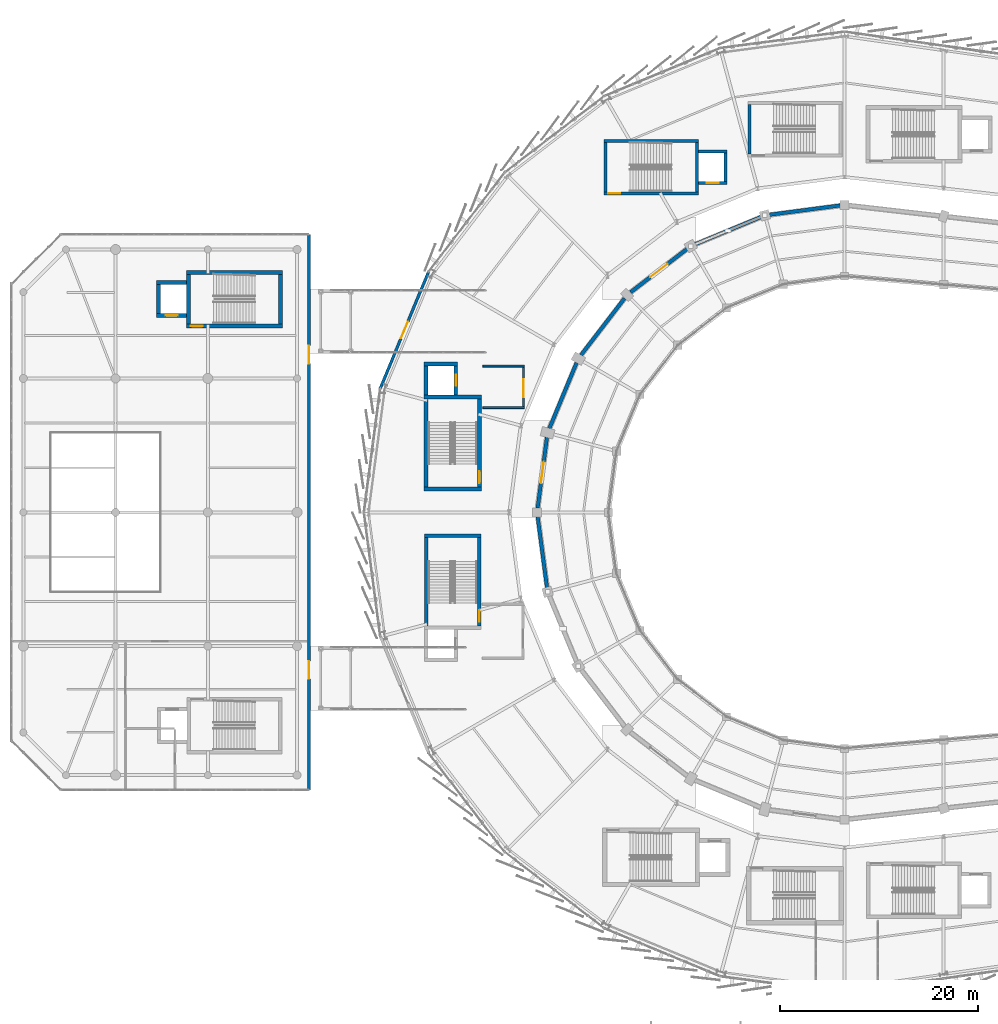
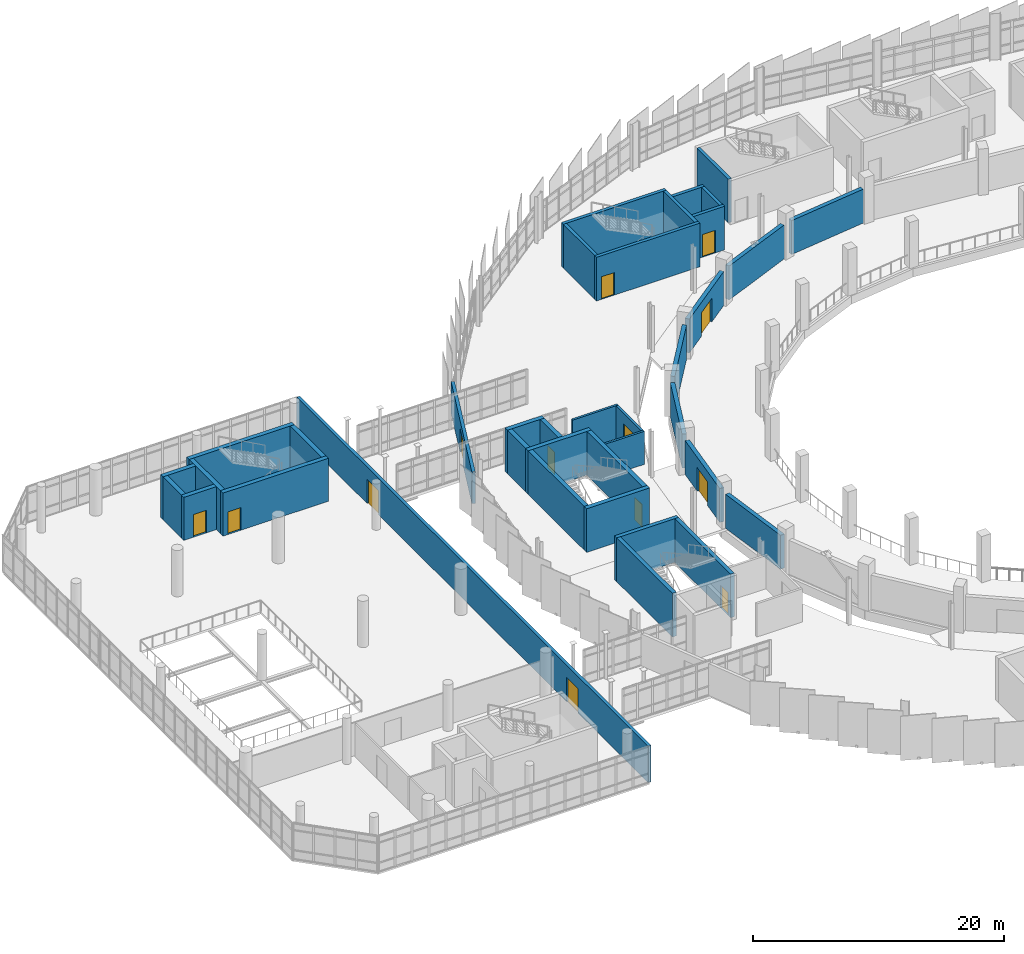
# One storey, part 105 of 125: 37 walls, 13 doors, 13 openings.
"""IFC4 building model written with IfcOpenShell, lengths in metres."""

from ifc_helpers import new_model, si_unit, direction, frame, frame_2d, origin, place, context, subcontext, project, spatial, rectangle, extrude, material, layer, layer_set, type_object, element, fill, save


model = new_model("IFC4")

# Units and contexts
model_context = context("Model", 3, precision=1e-05, world=origin(), true_north=direction((0.0, 1.0)))
body_context = subcontext(model_context, "Body", "Model", "MODEL_VIEW")
ifc_project = project(units=[si_unit("LENGTHUNIT", "METRE"), si_unit("AREAUNIT", "SQUARE_METRE"), si_unit("VOLUMEUNIT", "CUBIC_METRE"), si_unit("PLANEANGLEUNIT", "RADIAN"), si_unit("MASSUNIT", "GRAM", prefix="KILO")], contexts=[model_context])

# Site, building, storey
site_placement = place(None, origin())
site = spatial("IfcSite", under=ifc_project, at=site_placement, CompositionType="ELEMENT")
building_placement = place(site_placement, origin())
building = spatial("IfcBuilding", under=site, at=building_placement, Name="Sohan Crest Arena", CompositionType="ELEMENT")
storey_placement = place(building_placement, frame((0.0, 0.0, 9.0)))
storey = spatial("IfcBuildingStorey", under=building, at=storey_placement, Name="L02", CompositionType="ELEMENT", Elevation=9.0)

# Wall, opening, door
ifc_material_1 = material(Name="Clinker brick and ceramic mosaic envelope wall", Category="masonry")
ifc_layer_1 = layer(ifc_material_1, 0.280029296875, Name="Clinker brick and ceramic mosaic envelope wall")
ifc_layer_set_1 = layer_set([ifc_layer_1], Name="Clinker brick and ceramic mosaic envelope wall")
wall_type_1 = type_object("IfcWallType", Name="WAL-EW02", PredefinedType="SOLIDWALL", material=ifc_layer_set_1)
wall_1_placement = place(storey_placement, frame((56.041015625, 102.22509765625, 0.0), z_axis=(0.0, 0.0, 1.0), x_axis=(-0.382681957383, -0.923880143468, 0.0)))
wall_1 = element("IfcWall", 1, at=wall_1_placement, inside=storey, type_object=wall_type_1, Name="External wall EW-092", PredefinedType="SOLIDWALL", context=body_context, shape_type="SweptSolid", body=[
    extrude(rectangle(XDim=12.647705078125, YDim=0.280029296875, at=frame_2d((6.32373046875, 0.0))), origin(), (0.0, 0.0, 1.0), 3.10009765625),
])
opening_1_placement = place(wall_1_placement, frame((5.424072265625, 0.0, 0.0)))
opening_1 = element("IfcOpeningElement", 2, at=opening_1_placement, cuts=wall_1, Name="Opening BD-L02-05", PredefinedType="OPENING", context=body_context, shape_type="SweptSolid", body=[
    extrude(rectangle(XDim=1.800048828125, YDim=2.35009765625, at=frame_2d((0.89990234375, 1.175048828125))), frame((0.0, 0.14990234375, 0.0), z_axis=(0.0, -1.0, 0.0), x_axis=(1.0, 0.0, 0.0)), (0.0, 0.0, 1.0), 0.300048828125),
])
ifc_material_2 = material(Name="Glazed aluminium terrace access door", Category="aluminium")
door_type_1 = type_object("IfcDoorType", Name="DR-ED01", OperationType="DOUBLE_DOOR_SINGLE_SWING", PredefinedType="DOOR", material=ifc_material_2)
door_1_placement = place(opening_1_placement, frame((1.800048828125, 0.0, 0.0), z_axis=(0.0, 0.0, 1.0), x_axis=(-1.0, 0.0, 0.0)))
door_1 = element("IfcDoor", 3, at=door_1_placement, inside=storey, type_object=door_type_1, Name="Covered bridge passage door BD-L02-05", OperationType="DOUBLE_DOOR_SINGLE_SWING", OverallHeight=2.35009765625, OverallWidth=1.800048828125, PredefinedType="DOOR", context=body_context, shape_type="SweptSolid", body=[
    extrude(rectangle(XDim=1.800048828125, YDim=2.35009765625, at=frame_2d((0.89990234375, 1.175048828125))), frame((0.0, 0.02490234375, 0.0), z_axis=(0.0, -1.0, 0.0), x_axis=(1.0, 0.0, 0.0)), (0.0, 0.0, 1.0), 0.050048828125),
])
fill(opening_1, door_1)

# Wall, openings, doors
wall_2_placement = place(storey_placement, frame((44.0, 50.0, 0.0), z_axis=(0.0, 0.0, 1.0), x_axis=(0.0, 1.0, 0.0)))
wall_2 = element("IfcWall", 4, at=wall_2_placement, inside=storey, type_object=wall_type_1, Name="External wall EW-101", PredefinedType="SOLIDWALL", context=body_context, shape_type="SweptSolid", body=[
    extrude(rectangle(XDim=56.0, YDim=0.280029296875, at=frame_2d((28.0, 0.0))), origin(), (0.0, 0.0, 1.0), 3.550048828125),
])
opening_2_placement = place(wall_2_placement, frame((11.199951171875, 0.0, 0.0)))
opening_2 = element("IfcOpeningElement", 5, at=opening_2_placement, cuts=wall_2, Name="Opening V3B-L02-62", PredefinedType="OPENING", context=body_context, shape_type="SweptSolid", body=[
    extrude(rectangle(XDim=1.800048828125, YDim=2.35009765625, at=frame_2d((0.89990234375, 1.175048828125))), frame((0.0, 0.14990234375, 0.0), z_axis=(0.0, -1.0, 0.0), x_axis=(1.0, 0.0, 0.0)), (0.0, 0.0, 1.0), 0.300048828125),
])
opening_3_placement = place(wall_2_placement, frame((43.0, 0.0, 0.0)))
opening_3 = element("IfcOpeningElement", 6, at=opening_3_placement, cuts=wall_2, Name="Opening V3B-L02-93", PredefinedType="OPENING", context=body_context, shape_type="SweptSolid", body=[
    extrude(rectangle(XDim=1.800048828125, YDim=2.35009765625, at=frame_2d((0.89990234375, 1.175048828125))), frame((0.0, 0.14990234375, 0.0), z_axis=(0.0, -1.0, 0.0), x_axis=(1.0, 0.0, 0.0)), (0.0, 0.0, 1.0), 0.300048828125),
])
door_2_placement = place(opening_2_placement, frame((1.800048828125, 0.0, 0.0), z_axis=(0.0, 0.0, 1.0), x_axis=(-1.0, 0.0, 0.0)))
door_2 = element("IfcDoor", 7, at=door_2_placement, inside=storey, type_object=door_type_1, Name="Foyer bridge door V3B-L02-62", OperationType="DOUBLE_DOOR_SINGLE_SWING", OverallHeight=2.35009765625, OverallWidth=1.800048828125, PredefinedType="DOOR", context=body_context, shape_type="SweptSolid", body=[
    extrude(rectangle(XDim=1.800048828125, YDim=2.35009765625, at=frame_2d((0.89990234375, 1.175048828125))), frame((0.0, 0.02490234375, 0.0), z_axis=(0.0, -1.0, 0.0), x_axis=(1.0, 0.0, 0.0)), (0.0, 0.0, 1.0), 0.050048828125),
])
fill(opening_2, door_2)
door_3_placement = place(opening_3_placement, frame((1.800048828125, 0.0, 0.0), z_axis=(0.0, 0.0, 1.0), x_axis=(-1.0, 0.0, 0.0)))
door_3 = element("IfcDoor", 8, at=door_3_placement, inside=storey, type_object=door_type_1, Name="Foyer bridge door V3B-L02-93", OperationType="DOUBLE_DOOR_SINGLE_SWING", OverallHeight=2.35009765625, OverallWidth=1.800048828125, PredefinedType="DOOR", context=body_context, shape_type="SweptSolid", body=[
    extrude(rectangle(XDim=1.800048828125, YDim=2.35009765625, at=frame_2d((0.89990234375, 1.175048828125))), frame((0.0, 0.02490234375, 0.0), z_axis=(0.0, -1.0, 0.0), x_axis=(1.0, 0.0, 0.0)), (0.0, 0.0, 1.0), 0.050048828125),
])
fill(opening_3, door_3)

# Walls
ifc_material_3 = material(Name="Acoustic insulated bowl drum enclosure wall", Category="masonry")
ifc_layer_2 = layer(ifc_material_3, 0.3701171875, Name="Acoustic insulated bowl drum enclosure wall")
ifc_layer_set_2 = layer_set([ifc_layer_2], Name="Acoustic insulated bowl drum enclosure wall")
wall_type_2 = type_object("IfcWallType", Name="WAL-EW05", PredefinedType="SOLIDWALL", material=ifc_layer_set_2)
wall_3_placement = place(storey_placement, frame((97.56396484375, 108.943115234375, 0.0), z_axis=(0.0, 0.0, 1.0), x_axis=(-0.991432160885, -0.130622625772, 0.0)))
element("IfcWall", 9, at=wall_3_placement, inside=storey, type_object=wall_type_2, Name="Acoustic bowl drum wall BW-L02-01", PredefinedType="SOLIDWALL", context=body_context, shape_type="SweptSolid", body=[
    extrude(rectangle(XDim=7.212646484375, YDim=0.3701171875, at=frame_2d((3.6064453125, 0.0))), origin(), (0.0, 0.0, 1.0), 3.300048828125),
])
wall_4_placement = place(storey_placement, frame((89.570068359375, 107.77587890625, 0.0), z_axis=(0.0, 0.0, 1.0), x_axis=(-0.923828261086, -0.382807189089, 0.0)))
element("IfcWall", 10, at=wall_4_placement, inside=storey, type_object=wall_type_2, Name="Acoustic bowl drum wall BW-L02-02", PredefinedType="SOLIDWALL", context=body_context, shape_type="SweptSolid", body=[
    extrude(rectangle(XDim=7.21240234375, YDim=0.3701171875, at=frame_2d((3.606201171875, 0.0))), origin(), (0.0, 0.0, 1.0), 3.300048828125),
])

# Wall, opening, door
wall_5_placement = place(storey_placement, frame((82.15087890625, 104.5791015625, 0.0), z_axis=(0.0, 0.0, 1.0), x_axis=(-0.793318070515, -0.608807390719, 0.0)))
wall_5 = element("IfcWall", 11, at=wall_5_placement, inside=storey, type_object=wall_type_2, Name="Acoustic bowl drum wall BW-L02-03", PredefinedType="SOLIDWALL", context=body_context, shape_type="SweptSolid", body=[
    extrude(rectangle(XDim=7.212646484375, YDim=0.3701171875, at=frame_2d((3.6064453125, 0.0))), origin(), (0.0, 0.0, 1.0), 3.300048828125),
])
opening_4_placement = place(wall_5_placement, frame((2.506103515625, 0.0, 0.0)))
opening_4 = element("IfcOpeningElement", 12, at=opening_4_placement, cuts=wall_5, Name="Opening VD-L02-03", PredefinedType="OPENING", context=body_context, shape_type="SweptSolid", body=[
    extrude(rectangle(XDim=2.199951171875, YDim=2.300048828125, at=frame_2d((1.10009765625, 1.14990234375))), frame((0.0, 0.195068359375, 0.0), z_axis=(0.0, -1.0, 0.0), x_axis=(1.0, 0.0, 0.0)), (0.0, 0.0, 1.0), 0.39013671875),
])
ifc_material_4 = material(Name="Fire-rated steel double escape door", Category="steel")
door_type_2 = type_object("IfcDoorType", Name="DR-FD01", OperationType="DOUBLE_DOOR_SINGLE_SWING", PredefinedType="DOOR", material=ifc_material_4)
door_4_placement = place(opening_4_placement, origin())
door_4 = element("IfcDoor", 13, at=door_4_placement, inside=storey, type_object=door_type_2, Name="Bowl vomitory portal fire door VD-L02-03", OperationType="DOUBLE_DOOR_SINGLE_SWING", OverallHeight=2.300048828125, OverallWidth=2.199951171875, PredefinedType="DOOR", context=body_context, shape_type="SweptSolid", body=[
    extrude(rectangle(XDim=2.199951171875, YDim=2.300048828125, at=frame_2d((1.10009765625, 1.14990234375))), frame((0.0, 0.02490234375, 0.0), z_axis=(0.0, -1.0, 0.0), x_axis=(1.0, 0.0, 0.0)), (0.0, 0.0, 1.0), 0.050048828125),
])
fill(opening_4, door_4)

# Walls
wall_6_placement = place(storey_placement, frame((75.81201171875, 99.571044921875, 0.0), z_axis=(0.0, 0.0, 1.0), x_axis=(-0.608807390719, -0.793318070515, 0.0)))
element("IfcWall", 14, at=wall_6_placement, inside=storey, type_object=wall_type_2, Name="Acoustic bowl drum wall BW-L02-04", PredefinedType="SOLIDWALL", context=body_context, shape_type="SweptSolid", body=[
    extrude(rectangle(XDim=7.212646484375, YDim=0.3701171875, at=frame_2d((3.6064453125, 0.0))), origin(), (0.0, 0.0, 1.0), 3.300048828125),
])
wall_7_placement = place(storey_placement, frame((70.985107421875, 93.093017578125, 0.0), z_axis=(0.0, 0.0, 1.0), x_axis=(-0.382807189089, -0.923828261086, 0.0)))
element("IfcWall", 15, at=wall_7_placement, inside=storey, type_object=wall_type_2, Name="Acoustic bowl drum wall BW-L02-05", PredefinedType="SOLIDWALL", context=body_context, shape_type="SweptSolid", body=[
    extrude(rectangle(XDim=7.21240234375, YDim=0.3701171875, at=frame_2d((3.606201171875, 0.0))), origin(), (0.0, 0.0, 1.0), 3.300048828125),
])

# Wall, opening, door
wall_8_placement = place(storey_placement, frame((67.9990234375, 85.5869140625, 0.0), z_axis=(0.0, 0.0, 1.0), x_axis=(-0.130622625772, -0.991432160885, 0.0)))
wall_8 = element("IfcWall", 16, at=wall_8_placement, inside=storey, type_object=wall_type_2, Name="Acoustic bowl drum wall BW-L02-06", PredefinedType="SOLIDWALL", context=body_context, shape_type="SweptSolid", body=[
    extrude(rectangle(XDim=7.212646484375, YDim=0.3701171875, at=frame_2d((3.6064453125, 0.0))), origin(), (0.0, 0.0, 1.0), 3.300048828125),
])
opening_5_placement = place(wall_8_placement, frame((2.506103515625, 0.0, 0.0)))
opening_5 = element("IfcOpeningElement", 17, at=opening_5_placement, cuts=wall_8, Name="Opening VD-L02-06", PredefinedType="OPENING", context=body_context, shape_type="SweptSolid", body=[
    extrude(rectangle(XDim=2.199951171875, YDim=2.300048828125, at=frame_2d((1.10009765625, 1.14990234375))), frame((0.0, 0.195068359375, 0.0), z_axis=(0.0, -1.0, 0.0), x_axis=(1.0, 0.0, 0.0)), (0.0, 0.0, 1.0), 0.39013671875),
])
door_5_placement = place(opening_5_placement, origin())
door_5 = element("IfcDoor", 18, at=door_5_placement, inside=storey, type_object=door_type_2, Name="Bowl vomitory portal fire door VD-L02-06", OperationType="DOUBLE_DOOR_SINGLE_SWING", OverallHeight=2.300048828125, OverallWidth=2.199951171875, PredefinedType="DOOR", context=body_context, shape_type="SweptSolid", body=[
    extrude(rectangle(XDim=2.199951171875, YDim=2.300048828125, at=frame_2d((1.10009765625, 1.14990234375))), frame((0.0, 0.02490234375, 0.0), z_axis=(0.0, -1.0, 0.0), x_axis=(1.0, 0.0, 0.0)), (0.0, 0.0, 1.0), 0.050048828125),
])
fill(opening_5, door_5)

# Walls
wall_9_placement = place(storey_placement, frame((67.056884765625, 77.56396484375, 0.0), z_axis=(0.0, 0.0, 1.0), x_axis=(0.130622625772, -0.991432160885, 0.0)))
element("IfcWall", 19, at=wall_9_placement, inside=storey, type_object=wall_type_2, Name="Acoustic bowl drum wall BW-L02-07", PredefinedType="SOLIDWALL", context=body_context, shape_type="SweptSolid", body=[
    extrude(rectangle(XDim=7.212646484375, YDim=0.3701171875, at=frame_2d((3.6064453125, 0.0))), origin(), (0.0, 0.0, 1.0), 3.300048828125),
])
ifc_material_5 = material(Name="Fire-rated masonry blockwork compartment wall", Category="masonry")
ifc_layer_3 = layer(ifc_material_5, 0.199951171875, Name="Fire-rated masonry blockwork compartment wall")
ifc_layer_set_3 = layer_set([ifc_layer_3], Name="Fire-rated masonry blockwork compartment wall")
wall_type_3 = type_object("IfcWallType", Name="WAL-FW01", PredefinedType="PARTITIONING", material=ifc_layer_set_3)
for number, where, z_axis, x_axis, name in (
    (20, (61.5400390625, 88.550048828125, 0.0), (0.0, 0.0, 1.0), (1.0, 0.0, 0.0), "Interior partition wall PW-0108"),
    (21, (61.5400390625, 92.75, 0.0), (0.0, 0.0, 1.0), (1.0, 0.0, 0.0), "Interior partition wall PW-0109"),
):
    element("IfcWall", number, at=place(storey_placement, frame(where, z_axis=z_axis, x_axis=x_axis)), inside=storey, type_object=wall_type_3, Name=name, PredefinedType="PARTITIONING", context=body_context, shape_type="SweptSolid", body=[
        extrude(rectangle(XDim=4.179931640625, YDim=0.199951171875, at=frame_2d((2.08984375, 0.0))), origin(), (0.0, 0.0, 1.0), 3.219970703125),
    ])

# Wall, opening, door
wall_10_placement = place(storey_placement, frame((65.6201171875, 88.669921875, 0.0), z_axis=(0.0, 0.0, 1.0), x_axis=(0.0, 1.0, 0.0)))
wall_10 = element("IfcWall", 22, at=wall_10_placement, inside=storey, type_object=wall_type_3, Name="Interior partition wall PW-0110", PredefinedType="PARTITIONING", context=body_context, shape_type="SweptSolid", body=[
    extrude(rectangle(XDim=3.9599609375, YDim=0.199951171875, at=frame_2d((1.97998046875, 0.0))), origin(), (0.0, 0.0, 1.0), 3.219970703125),
])
opening_6_placement = place(wall_10_placement, frame((0.949951171875, 0.0, 0.0)))
opening_6 = element("IfcOpeningElement", 23, at=opening_6_placement, cuts=wall_10, Name="Opening FFL-0033", PredefinedType="OPENING", context=body_context, shape_type="SweptSolid", body=[
    extrude(rectangle(XDim=1.800048828125, YDim=2.199951171875, at=frame_2d((0.89990234375, 1.10009765625))), frame((0.0, 0.10986328125, 0.0), z_axis=(0.0, -1.0, 0.0), x_axis=(1.0, 0.0, 0.0)), (0.0, 0.0, 1.0), 0.219970703125),
])
ifc_material_6 = material(Name="Fire-rated timber-faced lobby double door", Category="wood")
door_type_3 = type_object("IfcDoorType", Name="DR-FD03", OperationType="DOUBLE_DOOR_SINGLE_SWING", PredefinedType="DOOR", material=ifc_material_6)
door_6_placement = place(opening_6_placement, origin())
door_6 = element("IfcDoor", 24, at=door_6_placement, inside=storey, type_object=door_type_3, Name="Firefighting lift lobby door FL02 FFL-0033", OperationType="DOUBLE_DOOR_SINGLE_SWING", OverallHeight=2.199951171875, OverallWidth=1.800048828125, PredefinedType="DOOR", context=body_context, shape_type="SweptSolid", body=[
    extrude(rectangle(XDim=1.800048828125, YDim=2.199951171875, at=frame_2d((0.89990234375, 1.10009765625))), frame((0.0, 0.02490234375, 0.0), z_axis=(0.0, -1.0, 0.0), x_axis=(1.0, 0.0, 0.0)), (0.0, 0.0, 1.0), 0.050048828125),
])
fill(opening_6, door_6)

# Walls
ifc_material_7 = material(Name="Concrete C40/50", Category="concrete")
ifc_layer_4 = layer(ifc_material_7, 0.300048828125, Name="Concrete C40/50")
ifc_layer_set_4 = layer_set([ifc_layer_4], Name="Concrete C40/50")
wall_type_4 = type_object("IfcWallType", Name="WAL-SW01", PredefinedType="SHEAR", material=ifc_layer_set_4)
for number, where, z_axis, x_axis, name in (
    (25, (73.89990234375, 110.300048828125, 0.0), (0.0, 0.0, 1.0), (0.0, 1.0, 0.0), "Core shear wall SW-0211"),
    (26, (83.10009765625, 110.300048828125, 0.0), (0.0, 0.0, 1.0), (0.0, 1.0, 0.0), "Core shear wall SW-0212"),
):
    element("IfcWall", number, at=place(storey_placement, frame(where, z_axis=z_axis, x_axis=x_axis)), inside=storey, type_object=wall_type_4, Name=name, PredefinedType="SHEAR", context=body_context, shape_type="SweptSolid", body=[
        extrude(rectangle(XDim=5.0, YDim=0.300048828125, at=frame_2d((2.5, 0.0))), origin(), (0.0, 0.0, 1.0), 4.25),
    ])

# Wall, opening, door
wall_11_placement = place(storey_placement, frame((73.75, 110.14990234375, 0.0), z_axis=(0.0, 0.0, 1.0), x_axis=(1.0, 0.0, 0.0)))
wall_11 = element("IfcWall", 27, at=wall_11_placement, inside=storey, type_object=wall_type_4, Name="Core shear wall SW-0213", PredefinedType="SHEAR", context=body_context, shape_type="SweptSolid", body=[
    extrude(rectangle(XDim=9.5, YDim=0.300048828125, at=frame_2d((4.75, 0.0))), origin(), (0.0, 0.0, 1.0), 4.25),
])
opening_7_placement = place(wall_11_placement, frame((0.449951171875, 0.0, 0.0)))
opening_7 = element("IfcOpeningElement", 28, at=opening_7_placement, cuts=wall_11, Name="Opening SD-0063", PredefinedType="OPENING", context=body_context, shape_type="SweptSolid", body=[
    extrude(rectangle(XDim=1.199951171875, YDim=2.199951171875, at=frame_2d((0.60009765625, 1.10009765625))), frame((0.0, 0.159912109375, 0.0), z_axis=(0.0, -1.0, 0.0), x_axis=(1.0, 0.0, 0.0)), (0.0, 0.0, 1.0), 0.320068359375),
])
ifc_material_8 = material(Name="Fire-rated steel stair and lobby door", Category="steel")
door_type_4 = type_object("IfcDoorType", Name="DR-FD04", OperationType="NOTDEFINED", PredefinedType="DOOR", material=ifc_material_8)
door_7_placement = place(opening_7_placement, frame((1.199951171875, 0.0, 0.0), z_axis=(0.0, 0.0, 1.0), x_axis=(-1.0, 0.0, 0.0)))
door_7 = element("IfcDoor", 29, at=door_7_placement, inside=storey, type_object=door_type_4, Name="Protected stair door SD-0063", OperationType="SINGLE_SWING_LEFT", OverallHeight=2.199951171875, OverallWidth=1.199951171875, PredefinedType="DOOR", context=body_context, shape_type="SweptSolid", body=[
    extrude(rectangle(XDim=1.199951171875, YDim=2.199951171875, at=frame_2d((0.60009765625, 1.10009765625))), frame((0.0, 0.02490234375, 0.0), z_axis=(0.0, -1.0, 0.0), x_axis=(1.0, 0.0, 0.0)), (0.0, 0.0, 1.0), 0.050048828125),
])
fill(opening_7, door_7)

# Walls
wall_12_placement = place(storey_placement, frame((73.75, 115.449951171875, 0.0), z_axis=(0.0, 0.0, 1.0), x_axis=(1.0, 0.0, 0.0)))
element("IfcWall", 30, at=wall_12_placement, inside=storey, type_object=wall_type_4, Name="Core shear wall SW-0214", PredefinedType="SHEAR", context=body_context, shape_type="SweptSolid", body=[
    extrude(rectangle(XDim=9.5, YDim=0.300048828125, at=frame_2d((4.75, 0.0))), origin(), (0.0, 0.0, 1.0), 4.25),
])
wall_13_placement = place(storey_placement, frame((86.0, 111.35009765625, 0.0), z_axis=(0.0, 0.0, 1.0), x_axis=(0.0, 1.0, 0.0)))
element("IfcWall", 31, at=wall_13_placement, inside=storey, type_object=wall_type_4, Name="Core shear wall SW-0215", PredefinedType="SHEAR", context=body_context, shape_type="SweptSolid", body=[
    extrude(rectangle(XDim=2.89990234375, YDim=0.300048828125, at=frame_2d((1.449951171875, 0.0))), origin(), (0.0, 0.0, 1.0), 4.25),
])

# Wall, opening, door
wall_14_placement = place(storey_placement, frame((83.25, 111.199951171875, 0.0), z_axis=(0.0, 0.0, 1.0), x_axis=(1.0, 0.0, 0.0)))
wall_14 = element("IfcWall", 32, at=wall_14_placement, inside=storey, type_object=wall_type_4, Name="Core shear wall SW-0216", PredefinedType="SHEAR", context=body_context, shape_type="SweptSolid", body=[
    extrude(rectangle(XDim=2.89990234375, YDim=0.300048828125, at=frame_2d((1.449951171875, 0.0))), origin(), (0.0, 0.0, 1.0), 4.25),
])
opening_8_placement = place(wall_14_placement, frame((0.85009765625, 0.0, 0.0)))
opening_8 = element("IfcOpeningElement", 33, at=opening_8_placement, cuts=wall_14, Name="Opening LD-LP02-L02", PredefinedType="OPENING", context=body_context, shape_type="SweptSolid", body=[
    extrude(rectangle(XDim=1.199951171875, YDim=2.199951171875, at=frame_2d((0.60009765625, 1.10009765625))), frame((0.0, 0.159912109375, 0.0), z_axis=(0.0, -1.0, 0.0), x_axis=(1.0, 0.0, 0.0)), (0.0, 0.0, 1.0), 0.320068359375),
])
ifc_material_9 = material(Name="Stainless steel passenger lift landing door", Category="steel")
door_type_5 = type_object("IfcDoorType", Name="DR-LD02", OperationType="SLIDING_TO_LEFT", PredefinedType="DOOR", material=ifc_material_9)
door_8_placement = place(opening_8_placement, origin())
door_8 = element("IfcDoor", 34, at=door_8_placement, inside=storey, type_object=door_type_5, Name="Sliding lift landing door LD-LP02-L02", OperationType="SLIDING_TO_LEFT", OverallHeight=2.199951171875, OverallWidth=1.199951171875, PredefinedType="DOOR", context=body_context, shape_type="SweptSolid", body=[
    extrude(rectangle(XDim=1.199951171875, YDim=2.199951171875, at=frame_2d((0.60009765625, 1.10009765625))), frame((0.0, 0.02490234375, 0.0), z_axis=(0.0, -1.0, 0.0), x_axis=(1.0, 0.0, 0.0)), (0.0, 0.0, 1.0), 0.050048828125),
])
fill(opening_8, door_8)

# Walls
wall_15_placement = place(storey_placement, frame((83.25, 114.39990234375, 0.0), z_axis=(0.0, 0.0, 1.0), x_axis=(1.0, 0.0, 0.0)))
element("IfcWall", 35, at=wall_15_placement, inside=storey, type_object=wall_type_4, Name="Core shear wall SW-0217", PredefinedType="SHEAR", context=body_context, shape_type="SweptSolid", body=[
    extrude(rectangle(XDim=2.89990234375, YDim=0.300048828125, at=frame_2d((1.449951171875, 0.0))), origin(), (0.0, 0.0, 1.0), 4.25),
])
wall_16_placement = place(storey_placement, frame((88.39990234375, 114.139892578125, 0.0), z_axis=(0.0, 0.0, 1.0), x_axis=(0.0, 1.0, 0.0)))
element("IfcWall", 36, at=wall_16_placement, inside=storey, type_object=wall_type_4, Name="Core shear wall SW-0769", PredefinedType="SHEAR", context=body_context, shape_type="SweptSolid", body=[
    extrude(rectangle(XDim=5.0, YDim=0.300048828125, at=frame_2d((2.5, 0.0))), origin(), (0.0, 0.0, 1.0), 4.25),
])
ifc_layer_5 = layer(ifc_material_7, 0.35009765625, Name="Concrete C40/50")
ifc_layer_set_5 = layer_set([ifc_layer_5], Name="Concrete C40/50")
wall_type_5 = type_object("IfcWallType", Name="WAL-SW02", PredefinedType="SHEAR", material=ifc_layer_set_5)
wall_17_placement = place(storey_placement, frame((55.64990234375, 75.625, 0.0), z_axis=(0.0, 0.0, 1.0), x_axis=(1.0, 0.0, 0.0)))
element("IfcWall", 37, at=wall_17_placement, inside=storey, type_object=wall_type_5, Name="Core shear wall SW-0032", PredefinedType="SHEAR", context=body_context, shape_type="SweptSolid", body=[
    extrude(rectangle(XDim=5.7001953125, YDim=0.35009765625, at=frame_2d((2.85009765625, 0.0))), origin(), (0.0, 0.0, 1.0), 4.25),
])
wall_18_placement = place(storey_placement, frame((55.824951171875, 66.550048828125, 0.0), z_axis=(0.0, 0.0, 1.0), x_axis=(0.0, 1.0, 0.0)))
element("IfcWall", 38, at=wall_18_placement, inside=storey, type_object=wall_type_5, Name="Core shear wall SW-0033", PredefinedType="SHEAR", context=body_context, shape_type="SweptSolid", body=[
    extrude(rectangle(XDim=8.89990234375, YDim=0.35009765625, at=frame_2d((4.449951171875, 0.0))), origin(), (0.0, 0.0, 1.0), 4.25),
])

# Wall, opening, door
wall_19_placement = place(storey_placement, frame((61.175048828125, 66.550048828125, 0.0), z_axis=(0.0, 0.0, 1.0), x_axis=(0.0, 1.0, 0.0)))
wall_19 = element("IfcWall", 39, at=wall_19_placement, inside=storey, type_object=wall_type_5, Name="Core shear wall SW-0034", PredefinedType="SHEAR", context=body_context, shape_type="SweptSolid", body=[
    extrude(rectangle(XDim=8.89990234375, YDim=0.35009765625, at=frame_2d((4.449951171875, 0.0))), origin(), (0.0, 0.0, 1.0), 4.25),
])
opening_9_placement = place(wall_19_placement, frame((0.39990234375, 0.0, 0.0)))
opening_9 = element("IfcOpeningElement", 40, at=opening_9_placement, cuts=wall_19, Name="Opening SD-0010", PredefinedType="OPENING", context=body_context, shape_type="SweptSolid", body=[
    extrude(rectangle(XDim=1.199951171875, YDim=2.199951171875, at=frame_2d((0.60009765625, 1.10009765625))), frame((0.0, 0.18505859375, 0.0), z_axis=(0.0, -1.0, 0.0), x_axis=(1.0, 0.0, 0.0)), (0.0, 0.0, 1.0), 0.3701171875),
])
door_9_placement = place(opening_9_placement, origin())
door_9 = element("IfcDoor", 41, at=door_9_placement, inside=storey, type_object=door_type_4, Name="Protected stair door SD-0010", OperationType="SINGLE_SWING_LEFT", OverallHeight=2.199951171875, OverallWidth=1.199951171875, PredefinedType="DOOR", context=body_context, shape_type="SweptSolid", body=[
    extrude(rectangle(XDim=1.199951171875, YDim=2.199951171875, at=frame_2d((0.60009765625, 1.10009765625))), frame((0.0, 0.02490234375, 0.0), z_axis=(0.0, -1.0, 0.0), x_axis=(1.0, 0.0, 0.0)), (0.0, 0.0, 1.0), 0.050048828125),
])
fill(opening_9, door_9)

# Walls
ifc_layer_6 = layer(ifc_material_7, 0.39990234375, Name="Concrete C40/50")
ifc_layer_set_6 = layer_set([ifc_layer_6], Name="Concrete C40/50")
wall_type_6 = type_object("IfcWallType", Name="WAL-SW03", PredefinedType="SHEAR", material=ifc_layer_set_6)
for number, where, z_axis, x_axis, name in (
    (42, (55.60009765625, 80.35009765625, 0.0), (0.0, 0.0, 1.0), (1.0, 0.0, 0.0), "Core shear wall SW-0101"),
    (43, (55.60009765625, 89.64990234375, 0.0), (0.0, 0.0, 1.0), (1.0, 0.0, 0.0), "Core shear wall SW-0102"),
):
    element("IfcWall", number, at=place(storey_placement, frame(where, z_axis=z_axis, x_axis=x_axis)), inside=storey, type_object=wall_type_6, Name=name, PredefinedType="SHEAR", context=body_context, shape_type="SweptSolid", body=[
        extrude(rectangle(XDim=5.7998046875, YDim=0.39990234375, at=frame_2d((2.89990234375, 0.0))), origin(), (0.0, 0.0, 1.0), 4.25),
    ])
wall_20_placement = place(storey_placement, frame((55.800048828125, 80.550048828125, 0.0), z_axis=(0.0, 0.0, 1.0), x_axis=(0.0, 1.0, 0.0)))
element("IfcWall", 44, at=wall_20_placement, inside=storey, type_object=wall_type_6, Name="Core shear wall SW-0103", PredefinedType="SHEAR", context=body_context, shape_type="SweptSolid", body=[
    extrude(rectangle(XDim=8.89990234375, YDim=0.39990234375, at=frame_2d((4.449951171875, 0.0))), origin(), (0.0, 0.0, 1.0), 4.25),
])

# Wall, opening, door
wall_21_placement = place(storey_placement, frame((61.199951171875, 80.550048828125, 0.0), z_axis=(0.0, 0.0, 1.0), x_axis=(0.0, 1.0, 0.0)))
wall_21 = element("IfcWall", 45, at=wall_21_placement, inside=storey, type_object=wall_type_6, Name="Core shear wall SW-0104", PredefinedType="SHEAR", context=body_context, shape_type="SweptSolid", body=[
    extrude(rectangle(XDim=8.89990234375, YDim=0.39990234375, at=frame_2d((4.449951171875, 0.0))), origin(), (0.0, 0.0, 1.0), 4.25),
])
opening_10_placement = place(wall_21_placement, frame((0.39990234375, 0.0, 0.0)))
opening_10 = element("IfcOpeningElement", 46, at=opening_10_placement, cuts=wall_21, Name="Opening SD-0031", PredefinedType="OPENING", context=body_context, shape_type="SweptSolid", body=[
    extrude(rectangle(XDim=1.199951171875, YDim=2.199951171875, at=frame_2d((0.60009765625, 1.10009765625))), frame((0.0, 0.2099609375, 0.0), z_axis=(0.0, -1.0, 0.0), x_axis=(1.0, 0.0, 0.0)), (0.0, 0.0, 1.0), 0.419921875),
])
door_10_placement = place(opening_10_placement, origin())
door_10 = element("IfcDoor", 47, at=door_10_placement, inside=storey, type_object=door_type_4, Name="Protected stair door SD-0031", OperationType="SINGLE_SWING_LEFT", OverallHeight=2.199951171875, OverallWidth=1.199951171875, PredefinedType="DOOR", context=body_context, shape_type="SweptSolid", body=[
    extrude(rectangle(XDim=1.199951171875, YDim=2.199951171875, at=frame_2d((0.60009765625, 1.10009765625))), frame((0.0, 0.02490234375, 0.0), z_axis=(0.0, -1.0, 0.0), x_axis=(1.0, 0.0, 0.0)), (0.0, 0.0, 1.0), 0.050048828125),
])
fill(opening_10, door_10)

# Wall
wall_22_placement = place(storey_placement, frame((55.800048828125, 89.85009765625, 0.0), z_axis=(0.0, 0.0, 1.0), x_axis=(0.0, 1.0, 0.0)))
element("IfcWall", 48, at=wall_22_placement, inside=storey, type_object=wall_type_6, Name="Core shear wall SW-0105", PredefinedType="SHEAR", context=body_context, shape_type="SweptSolid", body=[
    extrude(rectangle(XDim=2.89990234375, YDim=0.39990234375, at=frame_2d((1.449951171875, 0.0))), origin(), (0.0, 0.0, 1.0), 4.25),
])

# Wall, opening, door
wall_23_placement = place(storey_placement, frame((58.800048828125, 89.85009765625, 0.0), z_axis=(0.0, 0.0, 1.0), x_axis=(0.0, 1.0, 0.0)))
wall_23 = element("IfcWall", 49, at=wall_23_placement, inside=storey, type_object=wall_type_6, Name="Core shear wall SW-0106", PredefinedType="SHEAR", context=body_context, shape_type="SweptSolid", body=[
    extrude(rectangle(XDim=2.89990234375, YDim=0.39990234375, at=frame_2d((1.449951171875, 0.0))), origin(), (0.0, 0.0, 1.0), 4.25),
])
opening_11_placement = place(wall_23_placement, frame((0.89990234375, 0.0, 0.0)))
opening_11 = element("IfcOpeningElement", 50, at=opening_11_placement, cuts=wall_23, Name="Opening LD-FL02-L02", PredefinedType="OPENING", context=body_context, shape_type="SweptSolid", body=[
    extrude(rectangle(XDim=1.10009765625, YDim=2.199951171875, at=frame_2d((0.550048828125, 1.10009765625))), frame((0.0, 0.2099609375, 0.0), z_axis=(0.0, -1.0, 0.0), x_axis=(1.0, 0.0, 0.0)), (0.0, 0.0, 1.0), 0.419921875),
])
ifc_material_10 = material(Name="Stainless steel firefighting lift landing door", Category="steel")
door_type_6 = type_object("IfcDoorType", Name="DR-LD01", OperationType="SLIDING_TO_LEFT", PredefinedType="DOOR", material=ifc_material_10)
door_11_placement = place(opening_11_placement, origin())
door_11 = element("IfcDoor", 51, at=door_11_placement, inside=storey, type_object=door_type_6, Name="Sliding lift landing door LD-FL02-L02", OperationType="SLIDING_TO_LEFT", OverallHeight=2.199951171875, OverallWidth=1.10009765625, PredefinedType="DOOR", context=body_context, shape_type="SweptSolid", body=[
    extrude(rectangle(XDim=1.10009765625, YDim=2.199951171875, at=frame_2d((0.550048828125, 1.10009765625))), frame((0.0, 0.02490234375, 0.0), z_axis=(0.0, -1.0, 0.0), x_axis=(1.0, 0.0, 0.0)), (0.0, 0.0, 1.0), 0.050048828125),
])
fill(opening_11, door_11)

# Walls
wall_24_placement = place(storey_placement, frame((55.60009765625, 92.949951171875, 0.0), z_axis=(0.0, 0.0, 1.0), x_axis=(1.0, 0.0, 0.0)))
element("IfcWall", 52, at=wall_24_placement, inside=storey, type_object=wall_type_6, Name="Core shear wall SW-0107", PredefinedType="SHEAR", context=body_context, shape_type="SweptSolid", body=[
    extrude(rectangle(XDim=3.39990234375, YDim=0.39990234375, at=frame_2d((1.699951171875, 0.0))), origin(), (0.0, 0.0, 1.0), 4.25),
])
for number, where, z_axis, x_axis, name in (
    (53, (31.85009765625, 97.0, 0.0), (0.0, 0.0, 1.0), (0.0, 1.0, 0.0), "Core shear wall SW-0574"),
    (54, (41.14990234375, 97.0, 0.0), (0.0, 0.0, 1.0), (0.0, 1.0, 0.0), "Core shear wall SW-0575"),
):
    element("IfcWall", number, at=place(storey_placement, frame(where, z_axis=z_axis, x_axis=x_axis)), inside=storey, type_object=wall_type_6, Name=name, PredefinedType="SHEAR", context=body_context, shape_type="SweptSolid", body=[
        extrude(rectangle(XDim=5.0, YDim=0.39990234375, at=frame_2d((2.5, 0.0))), origin(), (0.0, 0.0, 1.0), 4.18505859375),
    ])

# Wall, opening, door
wall_25_placement = place(storey_placement, frame((31.64990234375, 96.800048828125, 0.0), z_axis=(0.0, 0.0, 1.0), x_axis=(1.0, 0.0, 0.0)))
wall_25 = element("IfcWall", 55, at=wall_25_placement, inside=storey, type_object=wall_type_6, Name="Core shear wall SW-0576", PredefinedType="SHEAR", context=body_context, shape_type="SweptSolid", body=[
    extrude(rectangle(XDim=9.7001953125, YDim=0.39990234375, at=frame_2d((4.85009765625, 0.0))), origin(), (0.0, 0.0, 1.0), 4.18505859375),
])
opening_12_placement = place(wall_25_placement, frame((0.449951171875, 0.0, 0.0)))
opening_12 = element("IfcOpeningElement", 56, at=opening_12_placement, cuts=wall_25, Name="Opening SD-0156", PredefinedType="OPENING", context=body_context, shape_type="SweptSolid", body=[
    extrude(rectangle(XDim=1.199951171875, YDim=2.199951171875, at=frame_2d((0.60009765625, 1.10009765625))), frame((0.0, 0.2099609375, 0.0), z_axis=(0.0, -1.0, 0.0), x_axis=(1.0, 0.0, 0.0)), (0.0, 0.0, 1.0), 0.419921875),
])
door_12_placement = place(opening_12_placement, frame((1.199951171875, 0.0, 0.0), z_axis=(0.0, 0.0, 1.0), x_axis=(-1.0, 0.0, 0.0)))
door_12 = element("IfcDoor", 57, at=door_12_placement, inside=storey, type_object=door_type_4, Name="Protected stair door SD-0156", OperationType="SINGLE_SWING_RIGHT", OverallHeight=2.199951171875, OverallWidth=1.199951171875, PredefinedType="DOOR", context=body_context, shape_type="SweptSolid", body=[
    extrude(rectangle(XDim=1.199951171875, YDim=2.199951171875, at=frame_2d((0.60009765625, 1.10009765625))), frame((0.0, 0.02490234375, 0.0), z_axis=(0.0, -1.0, 0.0), x_axis=(1.0, 0.0, 0.0)), (0.0, 0.0, 1.0), 0.050048828125),
])
fill(opening_12, door_12)

# Walls
wall_26_placement = place(storey_placement, frame((31.64990234375, 102.199951171875, 0.0), z_axis=(0.0, 0.0, 1.0), x_axis=(1.0, 0.0, 0.0)))
element("IfcWall", 58, at=wall_26_placement, inside=storey, type_object=wall_type_6, Name="Core shear wall SW-0577", PredefinedType="SHEAR", context=body_context, shape_type="SweptSolid", body=[
    extrude(rectangle(XDim=9.7001953125, YDim=0.39990234375, at=frame_2d((4.85009765625, 0.0))), origin(), (0.0, 0.0, 1.0), 4.18505859375),
])
wall_27_placement = place(storey_placement, frame((28.85009765625, 98.050048828125, 0.0), z_axis=(0.0, 0.0, 1.0), x_axis=(0.0, 1.0, 0.0)))
element("IfcWall", 59, at=wall_27_placement, inside=storey, type_object=wall_type_6, Name="Core shear wall SW-0578", PredefinedType="SHEAR", context=body_context, shape_type="SweptSolid", body=[
    extrude(rectangle(XDim=2.89990234375, YDim=0.39990234375, at=frame_2d((1.449951171875, 0.0))), origin(), (0.0, 0.0, 1.0), 4.18505859375),
])

# Wall, opening, door
wall_28_placement = place(storey_placement, frame((28.64990234375, 97.85009765625, 0.0), z_axis=(0.0, 0.0, 1.0), x_axis=(1.0, 0.0, 0.0)))
wall_28 = element("IfcWall", 60, at=wall_28_placement, inside=storey, type_object=wall_type_6, Name="Core shear wall SW-0579", PredefinedType="SHEAR", context=body_context, shape_type="SweptSolid", body=[
    extrude(rectangle(XDim=3.0, YDim=0.39990234375, at=frame_2d((1.5, 0.0))), origin(), (0.0, 0.0, 1.0), 4.18505859375),
])
opening_13_placement = place(wall_28_placement, frame((0.89990234375, 0.0, 0.0)))
opening_13 = element("IfcOpeningElement", 61, at=opening_13_placement, cuts=wall_28, Name="Opening LD-LP10-L02", PredefinedType="OPENING", context=body_context, shape_type="SweptSolid", body=[
    extrude(rectangle(XDim=1.199951171875, YDim=2.199951171875, at=frame_2d((0.60009765625, 1.10009765625))), frame((0.0, 0.2099609375, 0.0), z_axis=(0.0, -1.0, 0.0), x_axis=(1.0, 0.0, 0.0)), (0.0, 0.0, 1.0), 0.419921875),
])
door_13_placement = place(opening_13_placement, origin())
door_13 = element("IfcDoor", 62, at=door_13_placement, inside=storey, type_object=door_type_5, Name="Sliding lift landing door LD-LP10-L02", OperationType="SLIDING_TO_LEFT", OverallHeight=2.199951171875, OverallWidth=1.199951171875, PredefinedType="DOOR", context=body_context, shape_type="SweptSolid", body=[
    extrude(rectangle(XDim=1.199951171875, YDim=2.199951171875, at=frame_2d((0.60009765625, 1.10009765625))), frame((0.0, 0.02490234375, 0.0), z_axis=(0.0, -1.0, 0.0), x_axis=(1.0, 0.0, 0.0)), (0.0, 0.0, 1.0), 0.050048828125),
])
fill(opening_13, door_13)

# Wall
wall_29_placement = place(storey_placement, frame((28.64990234375, 101.14990234375, 0.0), z_axis=(0.0, 0.0, 1.0), x_axis=(1.0, 0.0, 0.0)))
element("IfcWall", 63, at=wall_29_placement, inside=storey, type_object=wall_type_6, Name="Core shear wall SW-0580", PredefinedType="SHEAR", context=body_context, shape_type="SweptSolid", body=[
    extrude(rectangle(XDim=3.0, YDim=0.39990234375, at=frame_2d((1.5, 0.0))), origin(), (0.0, 0.0, 1.0), 4.18505859375),
])

save(model, "model.ifc")
